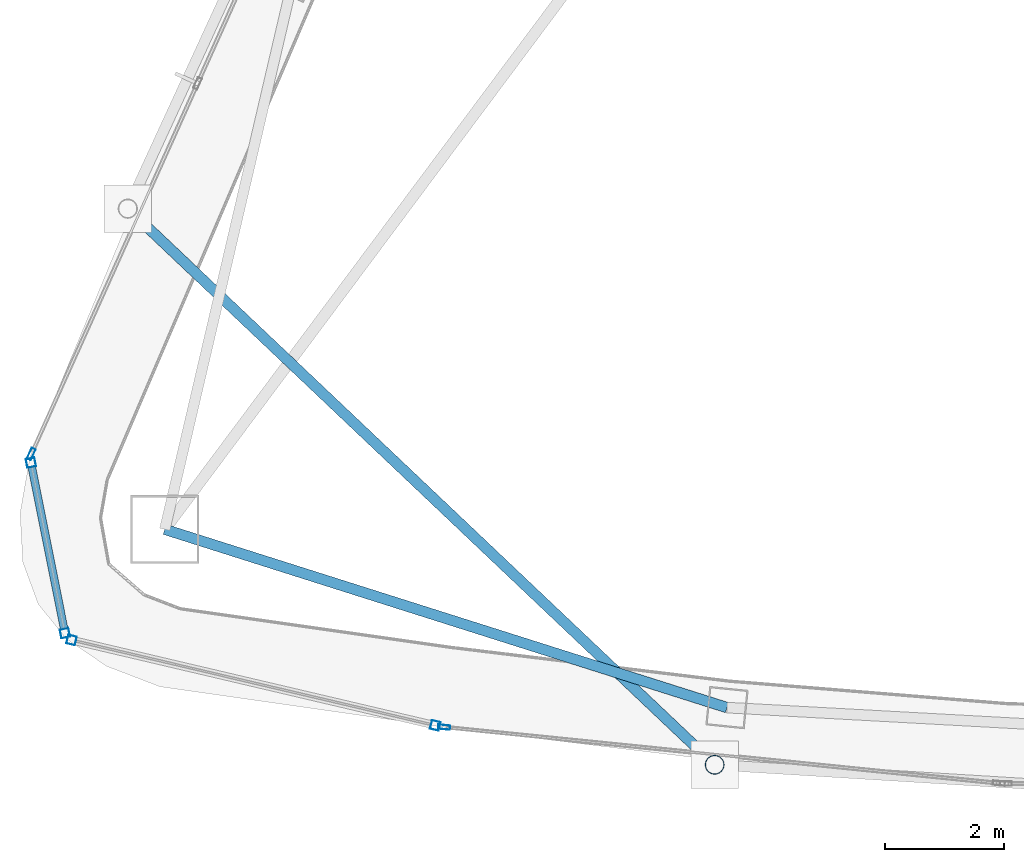
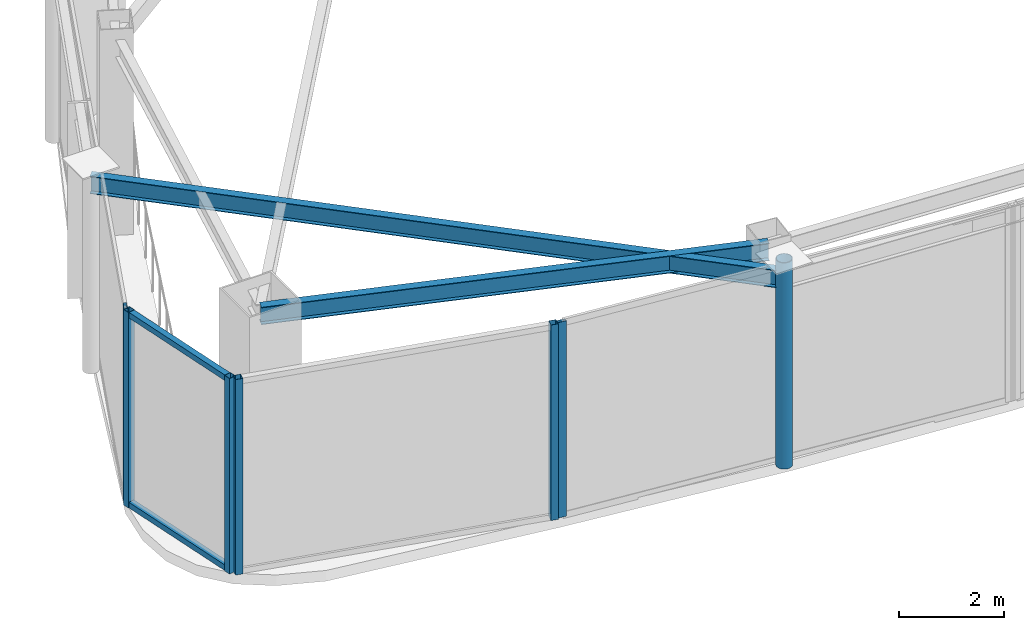
# One storey, part 2 of 20: 9 members, 2 beams, 4 elements without a shape of their own.
"""IFC4 building model written with IfcOpenShell, lengths in metres."""

from ifc_helpers import new_model, si_unit, direction, frame, origin, origin_2d, place, context, subcontext, project, spatial, hollow_rectangle, hollow_circle, i_section, extrude, material, layer, layer_set, material_profile, profile_set, type_object, element, aggregate, save


model = new_model("IFC4")

# Units and contexts
model_context = context("Model", 3, precision=1e-05, world=origin(), true_north=direction((0.0, 1.0)))
body_context = subcontext(model_context, "Body", "Model", "MODEL_VIEW")
ifc_project = project(units=[si_unit("LENGTHUNIT", "METRE"), si_unit("AREAUNIT", "SQUARE_METRE"), si_unit("VOLUMEUNIT", "CUBIC_METRE"), si_unit("PLANEANGLEUNIT", "RADIAN"), si_unit("MASSUNIT", "GRAM", prefix="KILO")], contexts=[model_context])

# Site, building, storey
site_placement = place(None, origin())
site = spatial("IfcSite", under=ifc_project, at=site_placement, CompositionType="ELEMENT")
building_placement = place(site_placement, origin())
building = spatial("IfcBuilding", under=site, at=building_placement, Name="Orvanel Arch Residences", CompositionType="ELEMENT")
storey_placement = place(building_placement, frame((0.0, 0.0, 300.5)))
storey = spatial("IfcBuildingStorey", under=building, at=storey_placement, Name="L84", CompositionType="ELEMENT", Elevation=300.5)

# Curtain wall, members
ifc_material_1 = material(Name="Bronze-anodised aluminium AA6063-T6", Category="aluminium")
ifc_layer = layer(ifc_material_1, 0.2099609375)
ifc_layer_set = layer_set([ifc_layer], Name="Bronze-anodised aluminium AA6063-T6")
curtain_wall_type = type_object("IfcCurtainWallType", Name="CW7-TOP-SYS", PredefinedType="NOTDEFINED", material=ifc_layer_set)
curtain_wall_1_placement = place(storey_placement, origin())
curtain_wall_1 = element("IfcCurtainWall", 1, at=curtain_wall_1_placement, inside=storey, type_object=curtain_wall_type, Name="L84 CW7-TOP-SYS Unitised Curtain Wall", PredefinedType="NOTDEFINED")
ifc_material_profile_1 = material_profile(ifc_material_1, hollow_rectangle(XDim=0.14990234375, YDim=0.14990234375, WallThickness=0.0048828125, at=origin_2d()), Name="ALU150x150x5")
ifc_profile_set_1 = profile_set([ifc_material_profile_1], Name="Bronze-anodised aluminium AA6063-T6")
member_type_1 = type_object("IfcMemberType", Name="MUL-150x150", PredefinedType="MULLION", material=ifc_profile_set_1)
member_1_placement = place(storey_placement, frame((11.95068359375, 11.471435546875, 0.0), z_axis=(0.0, 0.0, 1.0), x_axis=(0.980680696495, 0.195615366274, 0.0)))
member_1 = element("IfcMember", 2, at=member_1_placement, type_object=member_type_1, Name="CW-S7 mullion 1", PredefinedType="MULLION", context=body_context, shape_type="SweptSolid", body=[
    extrude(hollow_rectangle(XDim=0.14990234375, YDim=0.14990234375, WallThickness=0.0048828125, at=origin_2d()), origin(), (0.0, 0.0, 1.0), 4.550048828125),
])
member_2_placement = place(storey_placement, frame((12.522216796875, 8.60546875, 0.0), z_axis=(0.0, 0.0, 1.0), x_axis=(0.980680696495, 0.195615366274, 0.0)))
member_2 = element("IfcMember", 3, at=member_2_placement, type_object=member_type_1, Name="CW-S7 mullion 2", PredefinedType="MULLION", context=body_context, shape_type="SweptSolid", body=[
    extrude(hollow_rectangle(XDim=0.14990234375, YDim=0.14990234375, WallThickness=0.0048828125, at=origin_2d()), origin(), (0.0, 0.0, 1.0), 4.550048828125),
])

curtain_wall_2_placement = place(storey_placement, origin())
curtain_wall_2 = element("IfcCurtainWall", 4, at=curtain_wall_2_placement, inside=storey, type_object=curtain_wall_type, Name="L84 CW7-TOP-SYS Unitised Curtain Wall", PredefinedType="NOTDEFINED")
member_3_placement = place(storey_placement, frame((12.633056640625, 8.48974609375, 0.0), z_axis=(0.0, 0.0, 1.0), x_axis=(0.22864052585, 0.973510919271, 0.0)))
member_3 = element("IfcMember", 5, at=member_3_placement, type_object=member_type_1, Name="CW-S7 mullion 1", PredefinedType="MULLION", context=body_context, shape_type="SweptSolid", body=[
    extrude(hollow_rectangle(XDim=0.14990234375, YDim=0.14990234375, WallThickness=0.0048828125, at=origin_2d()), origin(), (0.0, 0.0, 1.0), 4.550048828125),
])
member_4_placement = place(storey_placement, frame((18.74609375, 7.05419921875, 0.0), z_axis=(0.0, 0.0, 1.0), x_axis=(0.22864052585, 0.973510919271, 0.0)))
member_4 = element("IfcMember", 6, at=member_4_placement, type_object=member_type_1, Name="CW-S7 mullion 2", PredefinedType="MULLION", context=body_context, shape_type="SweptSolid", body=[
    extrude(hollow_rectangle(XDim=0.14990234375, YDim=0.14990234375, WallThickness=0.0048828125, at=origin_2d()), origin(), (0.0, 0.0, 1.0), 4.550048828125),
])
aggregate(curtain_wall_2, [member_3, member_4])

# Curtain wall, member
curtain_wall_3_placement = place(storey_placement, origin())
curtain_wall_3 = element("IfcCurtainWall", 7, at=curtain_wall_3_placement, inside=storey, type_object=curtain_wall_type, Name="L84 CW7-TOP-SYS Unitised Curtain Wall", PredefinedType="NOTDEFINED")
ifc_material_profile_2 = material_profile(ifc_material_1, hollow_rectangle(XDim=0.074951171875, YDim=0.199951171875, WallThickness=0.0048828125, at=origin_2d()), Name="ALU200x75x5")
ifc_profile_set_2 = profile_set([ifc_material_profile_2], Name="Bronze-anodised aluminium AA6063-T6")
member_type_2 = type_object("IfcMemberType", Name="MUL-200x75", PredefinedType="MULLION", material=ifc_profile_set_2)
member_5_placement = place(storey_placement, frame((11.955322265625, 11.6171875, 0.0), z_axis=(0.0, 0.0, 1.0), x_axis=(0.912376147447, -0.40935286193, 0.0)))
member_5 = element("IfcMember", 8, at=member_5_placement, type_object=member_type_2, Name="CW-S7 mullion 3", PredefinedType="MULLION", context=body_context, shape_type="SweptSolid", body=[
    extrude(hollow_rectangle(XDim=0.074951171875, YDim=0.199951171875, WallThickness=0.0048828125, at=origin_2d()), origin(), (0.0, 0.0, 1.0), 4.550048828125),
])
aggregate(curtain_wall_3, [member_5])

curtain_wall_4_placement = place(storey_placement, origin())
curtain_wall_4 = element("IfcCurtainWall", 9, at=curtain_wall_4_placement, inside=storey, type_object=curtain_wall_type, Name="L84 CW7-TOP-SYS Unitised Curtain Wall", PredefinedType="NOTDEFINED")
member_6_placement = place(storey_placement, frame((18.895263671875, 7.026123046875, 0.0), z_axis=(0.0, 0.0, 1.0), x_axis=(0.10054103466, 0.994932912487, 0.0)))
member_6 = element("IfcMember", 10, at=member_6_placement, type_object=member_type_2, Name="CW-S7 mullion 1", PredefinedType="MULLION", context=body_context, shape_type="SweptSolid", body=[
    extrude(hollow_rectangle(XDim=0.074951171875, YDim=0.199951171875, WallThickness=0.0048828125, at=origin_2d()), origin(), (0.0, 0.0, 1.0), 4.550048828125),
])
aggregate(curtain_wall_4, [member_6])

# Beams
ifc_material_2 = material(Name="Structural steel AS/NZS 3679.1 Grade 300 (300 MPa)", Category="steel")
ifc_material_profile_3 = material_profile(ifc_material_2, i_section(OverallWidth=0.177978515625, OverallDepth=0.406005859375, WebThickness=0.0078125, FlangeThickness=0.0126953125, at=origin_2d()), Name="410UB59.7")
ifc_profile_set_3 = profile_set([ifc_material_profile_3], Name="Structural steel AS/NZS 3679.1 Grade 300 (300 MPa)")
beam_type_1 = type_object("IfcBeamType", Name="OB-410UB", PredefinedType="SPANDREL", material=ifc_profile_set_3)
beam_1_placement = place(storey_placement, frame((14.198974609375, 10.35107421875, 4.346923828125), z_axis=(0.953237386592, -0.302222574941, 0.0), x_axis=(0.302222574941, 0.953237386592, 0.0)))
element("IfcBeam", 11, at=beam_1_placement, inside=storey, type_object=beam_type_1, Name="L84 Perimeter Spandrel Beam 02", PredefinedType="SPANDREL", context=body_context, shape_type="SweptSolid", body=[
    extrude(i_section(OverallWidth=0.177978515625, OverallDepth=0.406005859375, WebThickness=0.0078125, FlangeThickness=0.0126953125, at=origin_2d()), origin(), (0.0, 0.0, 1.0), 9.91357421875),
])
ifc_material_profile_4 = material_profile(ifc_material_2, i_section(OverallWidth=0.177978515625, OverallDepth=0.406005859375, WebThickness=0.0078125, FlangeThickness=0.0126953125, at=origin_2d()), Name="410UB59.7")
ifc_profile_set_4 = profile_set([ifc_material_profile_4], Name="Structural steel AS/NZS 3679.1 Grade 300 (300 MPa)")
beam_type_2 = type_object("IfcBeamType", Name="OB-410UB-EXT", PredefinedType="SPANDREL", material=ifc_profile_set_4)
beam_2_placement = place(storey_placement, frame((13.577880859375, 15.740966796875, 4.346923828125), z_axis=(0.72587667187, -0.687824873958, 0.0), x_axis=(0.687824873958, 0.72587667187, 0.0)))
element("IfcBeam", 12, at=beam_2_placement, inside=storey, type_object=beam_type_2, Name="L84 Outer Perimeter Floor Ring Beam 04", PredefinedType="SPANDREL", context=body_context, shape_type="SweptSolid", body=[
    extrude(i_section(OverallWidth=0.177978515625, OverallDepth=0.406005859375, WebThickness=0.0078125, FlangeThickness=0.0126953125, at=origin_2d()), origin(), (0.0, 0.0, 1.0), 13.589111328125),
])

# Member
ifc_material_3 = material(Name="Structural steel AS/NZS 1163 C350L0 (Grade 350)", Category="steel")
ifc_material_profile_5 = material_profile(ifc_material_3, hollow_circle(Radius=0.162109375, WallThickness=0.0126953125, at=origin_2d()), Name="CHS324x12.7")
ifc_profile_set_5 = profile_set([ifc_material_profile_5], Name="Structural steel AS/NZS 1163 C350L0 (Grade 350)")
member_type_3 = type_object("IfcMemberType", Name="ST-324CHS-EXT", PredefinedType="STRUT", material=ifc_profile_set_5)
member_7_placement = place(storey_placement, frame((23.44189453125, 6.39404296875, 0.0), z_axis=(0.0, 0.0, 1.0), x_axis=(1.0, 0.0, 0.0)))
element("IfcMember", 13, at=member_7_placement, inside=storey, type_object=member_type_3, Name="L84 Outer Perimeter Frame Post 05", PredefinedType="STRUT", context=body_context, shape_type="SweptSolid", body=[
    extrude(hollow_circle(Radius=0.162109375, WallThickness=0.0126953125, at=origin_2d()), origin(), (0.0, 0.0, 1.0), 4.800048828125),
])

ifc_material_profile_6 = material_profile(ifc_material_1, hollow_rectangle(XDim=0.1298828125, YDim=0.1298828125, WallThickness=0.00439453125, at=origin_2d()), Name="ALU130x130x4.5")
ifc_profile_set_6 = profile_set([ifc_material_profile_6], Name="Bronze-anodised aluminium AA6063-T6")
member_type_4 = type_object("IfcMemberType", Name="TRN-130x130", PredefinedType="USERDEFINED", material=ifc_profile_set_6)
member_8_placement = place(storey_placement, frame((11.96533203125, 11.39794921875, 0.06494140625), z_axis=(0.195591107521, -0.980685535051, 0.0), x_axis=(0.980685535051, 0.195591107521, 0.0)))
member_8 = element("IfcMember", 14, at=member_8_placement, type_object=member_type_4, Name="CW-S7 transom 1.1", ObjectType="TRANSOM", PredefinedType="USERDEFINED", context=body_context, shape_type="SweptSolid", body=[
    extrude(hollow_rectangle(XDim=0.1298828125, YDim=0.1298828125, WallThickness=0.00439453125, at=origin_2d()), origin(), (0.0, 0.0, 1.0), 2.772216796875),
])

member_9_placement = place(storey_placement, frame((11.96533203125, 11.39794921875, 4.485107421875), z_axis=(0.195591107521, -0.980685535051, 0.0), x_axis=(0.980685535051, 0.195591107521, 0.0)))
member_9 = element("IfcMember", 15, at=member_9_placement, type_object=member_type_4, Name="CW-S7 transom 1.2", ObjectType="TRANSOM", PredefinedType="USERDEFINED", context=body_context, shape_type="SweptSolid", body=[
    extrude(hollow_rectangle(XDim=0.1298828125, YDim=0.1298828125, WallThickness=0.00439453125, at=origin_2d()), origin(), (0.0, 0.0, 1.0), 2.772216796875),
])

aggregate(curtain_wall_1, [member_1, member_2, member_8, member_9])

save(model, "model.ifc")
